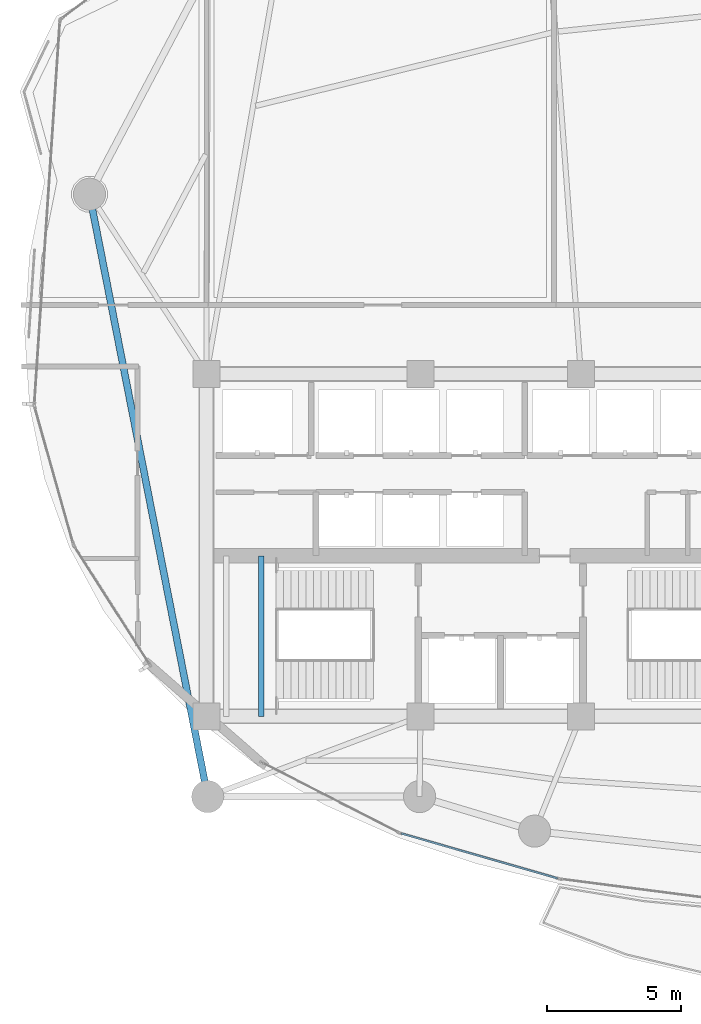
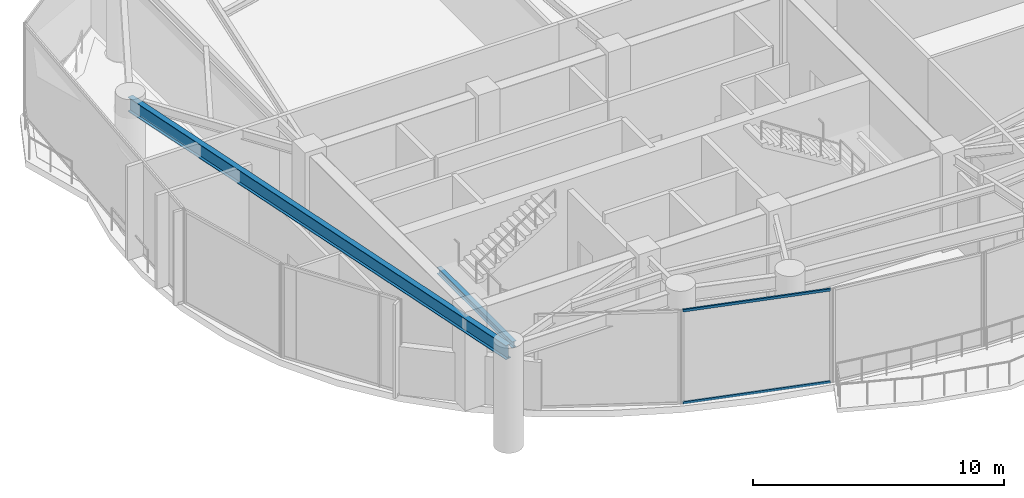
# One storey, part 4 of 30: 2 beams, 2 members, 1 element without a shape of its own.
"""IFC4 building model written with IfcOpenShell, lengths in metres."""

from ifc_helpers import new_model, si_unit, direction, frame, origin, origin_2d, place, context, subcontext, project, spatial, hollow_rectangle, i_section, extrude, material, layer, layer_set, material_profile, profile_set, type_object, element, aggregate, save


model = new_model("IFC4")

# Units and contexts
model_context = context("Model", 3, precision=1e-05, world=origin(), true_north=direction((0.0, 1.0)))
body_context = subcontext(model_context, "Body", "Model", "MODEL_VIEW")
ifc_project = project(units=[si_unit("LENGTHUNIT", "METRE"), si_unit("AREAUNIT", "SQUARE_METRE"), si_unit("VOLUMEUNIT", "CUBIC_METRE"), si_unit("PLANEANGLEUNIT", "RADIAN"), si_unit("MASSUNIT", "GRAM", prefix="KILO")], contexts=[model_context])

# Site, building, storey
site_placement = place(None, origin())
site = spatial("IfcSite", under=ifc_project, at=site_placement, CompositionType="ELEMENT")
building_placement = place(site_placement, origin())
building = spatial("IfcBuilding", under=site, at=building_placement, Name="Kazevale Care Tower and Concert Hall", CompositionType="ELEMENT")
storey_placement = place(building_placement, frame((0.0, 0.0, 97.800048828125)))
storey = spatial("IfcBuildingStorey", under=building, at=storey_placement, Name="L25", CompositionType="ELEMENT", Elevation=97.800048828125)

# Curtain wall, members
ifc_material_1 = material(Name="Aluminium 6063-T6 and Low-E Glass", Category="aluminium")
ifc_layer = layer(ifc_material_1, 0.179931640625)
ifc_layer_set = layer_set([ifc_layer], Name="Aluminium 6063-T6 and Low-E Glass")
curtain_wall_type = type_object("IfcCurtainWallType", Name="Sheltered Concave Balcony Curtain Wall CW-5", PredefinedType="NOTDEFINED", material=ifc_layer_set)
curtain_wall_placement = place(storey_placement, origin())
curtain_wall = element("IfcCurtainWall", 1, at=curtain_wall_placement, inside=storey, type_object=curtain_wall_type, Name="cw:L25:f08", PredefinedType="NOTDEFINED")
ifc_material_2 = material(Name="Aluminium 6063-T6", Category="aluminium")
ifc_material_profile_1 = material_profile(ifc_material_2, hollow_rectangle(XDim=0.074951171875, YDim=0.1201171875, WallThickness=0.00390625, at=origin_2d()), Name="ALU75x120x4")
ifc_profile_set_1 = profile_set([ifc_material_profile_1], Name="Aluminium 6063-T6")
member_type = type_object("IfcMemberType", Name="CW-5 Transom ALU75x120x4", PredefinedType="USERDEFINED", material=ifc_profile_set_1)
member_1_placement = place(storey_placement, frame((35.121826171875, 17.545654296875, 0.037353515625), z_axis=(-0.961067703236, 0.276312992451, 0.0), x_axis=(-0.276312992451, -0.961067703236, 0.0)))
member_1 = element("IfcMember", 2, at=member_1_placement, type_object=member_type, Name="CW-5 transom 1.1", ObjectType="TRANSOM", PredefinedType="USERDEFINED", context=body_context, shape_type="SweptSolid", body=[
    extrude(hollow_rectangle(XDim=0.074951171875, YDim=0.1201171875, WallThickness=0.00390625, at=origin_2d()), origin(), (0.0, 0.0, 1.0), 6.075439453125),
])
member_2_placement = place(storey_placement, frame((35.121826171875, 17.545654296875, 4.5224609375), z_axis=(-0.961067703236, 0.276312992451, 0.0), x_axis=(-0.276312992451, -0.961067703236, 0.0)))
member_2 = element("IfcMember", 3, at=member_2_placement, type_object=member_type, Name="CW-5 transom 1.2", ObjectType="TRANSOM", PredefinedType="USERDEFINED", context=body_context, shape_type="SweptSolid", body=[
    extrude(hollow_rectangle(XDim=0.074951171875, YDim=0.1201171875, WallThickness=0.00390625, at=origin_2d()), origin(), (0.0, 0.0, 1.0), 6.075439453125),
])
aggregate(curtain_wall, [member_1, member_2])

# Beams
ifc_material_3 = material(Name="Steel ASTM A572 Gr 50", Category="steel")
ifc_material_profile_2 = material_profile(ifc_material_3, i_section(OverallWidth=0.202880859375, OverallDepth=0.302978515625, WebThickness=0.007568359375, FlangeThickness=0.01318359375, at=origin_2d()), Name="W310x60")
ifc_profile_set_2 = profile_set([ifc_material_profile_2], Name="Steel ASTM A572 Gr 50")
beam_type_1 = type_object("IfcBeamType", Name="Stair & Balcony Trimmer W310x60", PredefinedType="BEAM", material=ifc_profile_set_2)
beam_1_placement = place(storey_placement, frame((24.050048828125, 23.60009765625, 2.04833984375), z_axis=(0.0, 1.0, 0.0), x_axis=(-1.0, 0.0, 0.0)))
element("IfcBeam", 4, at=beam_1_placement, inside=storey, type_object=beam_type_1, Name="beam:L25:sttrim:ST1b", PredefinedType="BEAM", context=body_context, shape_type="SweptSolid", body=[
    extrude(i_section(OverallWidth=0.202880859375, OverallDepth=0.302978515625, WebThickness=0.007568359375, FlangeThickness=0.01318359375, at=origin_2d()), origin(), (0.0, 0.0, 1.0), 6.0),
])
ifc_material_profile_3 = material_profile(ifc_material_3, i_section(OverallWidth=0.256103515625, OverallDepth=0.693115234375, WebThickness=0.014404296875, FlangeThickness=0.023681640625, at=origin_2d()), Name="W690x170")
ifc_profile_set_3 = profile_set([ifc_material_profile_3], Name="Steel ASTM A572 Gr 50")
beam_type_2 = type_object("IfcBeamType", Name="Waist Ring Beam W690x170", PredefinedType="BEAM", material=ifc_profile_set_3)
beam_2_placement = place(storey_placement, frame((17.6298828125, 43.1201171875, 4.21337890625), z_axis=(0.192602267784, -0.9812769061, 0.0), x_axis=(0.9812769061, 0.192602267784, 0.0)))
element("IfcBeam", 5, at=beam_2_placement, inside=storey, type_object=beam_type_2, Name="beam:L25:ring:09", PredefinedType="BEAM", context=body_context, shape_type="SweptSolid", body=[
    extrude(i_section(OverallWidth=0.256103515625, OverallDepth=0.693115234375, WebThickness=0.014404296875, FlangeThickness=0.023681640625, at=origin_2d()), origin(), (0.0, 0.0, 1.0), 22.94970703125),
])

save(model, "model.ifc")
